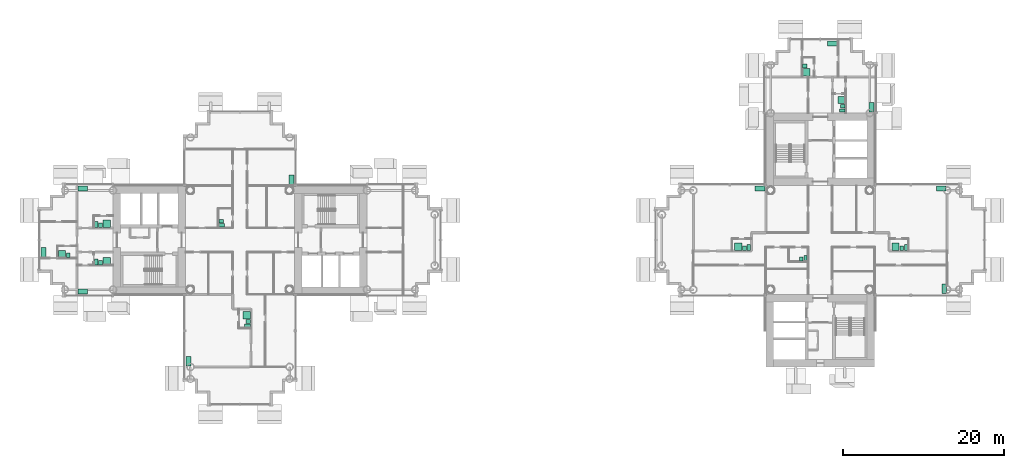
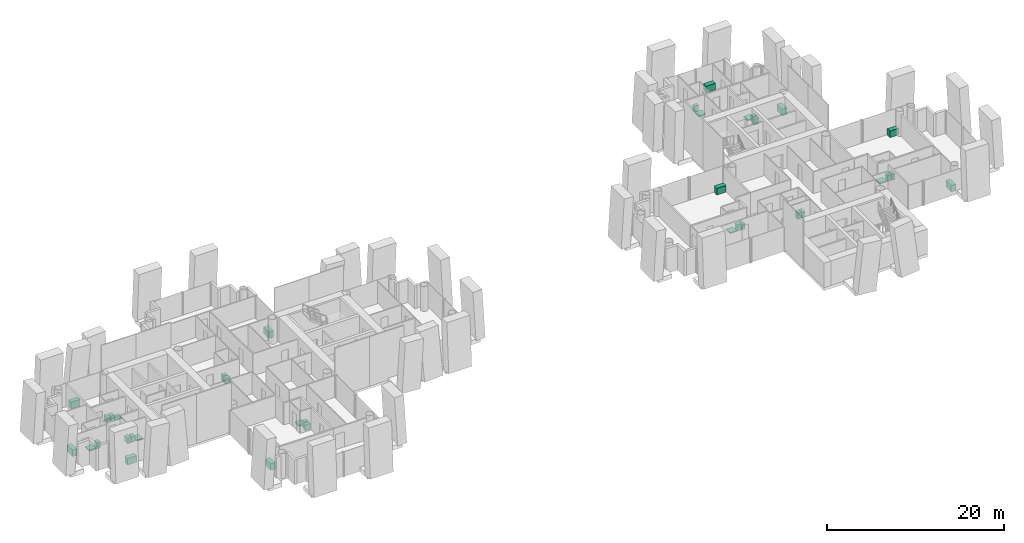
# One storey, part 21 of 21: 36 sanitary terminals.
"""IFC4 building model written with IfcOpenShell, lengths in metres."""

from ifc_helpers import new_model, si_unit, direction, frame, origin, origin_2d, place, context, subcontext, project, spatial, rectangle, extrude, material, type_object, element, save


model = new_model("IFC4")

# Units and contexts
model_context = context("Model", 3, precision=1e-05, world=origin(), true_north=direction((0.0, 1.0)))
body_context = subcontext(model_context, "Body", "Model", "MODEL_VIEW")
ifc_project = project(units=[si_unit("LENGTHUNIT", "METRE"), si_unit("AREAUNIT", "SQUARE_METRE"), si_unit("VOLUMEUNIT", "CUBIC_METRE"), si_unit("PLANEANGLEUNIT", "RADIAN"), si_unit("MASSUNIT", "GRAM", prefix="KILO")], contexts=[model_context])

# Site, building, storey
site_placement = place(None, origin())
site = spatial("IfcSite", under=ifc_project, at=site_placement, CompositionType="ELEMENT")
building_placement = place(site_placement, origin())
building = spatial("IfcBuilding", under=site, at=building_placement, Name="Ipe Terrace Towers", CompositionType="ELEMENT")
storey_placement = place(building_placement, frame((0.0, 0.0, 80.0)))
storey = spatial("IfcBuildingStorey", under=building, at=storey_placement, Name="L21", CompositionType="ELEMENT", Elevation=80.0)

# Sanitary terminals
ifc_material_1 = material(Name="Stainless sink unit", Category="metal")
sanitary_terminal_type_1 = type_object("IfcSanitaryTerminalType", Name="Kitchen sink unit", PredefinedType="SINK", material=ifc_material_1)
for number, where, z_axis, x_axis, name in (
    (1, (-29.6201171875, 7.469970703125, 0.0), (0.0, 0.0, 1.0), (0.0, -1.0, 0.0), "Kitchen sink unit"),
    (2, (-42.3798828125, -15.030029296875, 0.0), (0.0, 0.0, 1.0), (0.0, 1.0, 0.0), "Kitchen sink unit"),
    (3, (-55.530029296875, -6.3798828125, 0.0), (0.0, 0.0, 1.0), (-1.0, 0.0, 0.0), "Kitchen sink unit"),
    (4, (-55.530029296875, 6.3798828125, 0.0), (0.0, 0.0, 1.0), (1.0, 0.0, 0.0), "Kitchen sink unit"),
    (5, (-60.3798828125, -1.530029296875, 0.0), (0.0, 0.0, 1.0), (0.0, 1.0, 0.0), "Kitchen sink unit"),
    (6, (28.530029296875, 6.3798828125, 0.0), (0.0, 0.0, 1.0), (1.0, 0.0, 0.0), "Kitchen sink unit"),
    (7, (51.030029296875, 6.3798828125, 0.0), (0.0, 0.0, 1.0), (1.0, 0.0, 0.0), "Kitchen sink unit"),
    (8, (51.3798828125, -6.030029296875, 0.0), (0.0, 0.0, 1.0), (0.0, -1.0, 0.0), "Kitchen sink unit"),
    (9, (42.3798828125, 16.469970703125, 0.0), (0.0, 0.0, 1.0), (0.0, -1.0, 0.0), "Kitchen sink unit"),
    (10, (37.530029296875, 24.3798828125, 0.0), (0.0, 0.0, 1.0), (1.0, 0.0, 0.0), "Kitchen sink unit"),
):
    element("IfcSanitaryTerminal", number, at=place(storey_placement, frame(where, z_axis=z_axis, x_axis=x_axis)), inside=storey, type_object=sanitary_terminal_type_1, Name=name, PredefinedType="SINK", context=body_context, shape_type="SweptSolid", body=[
        extrude(rectangle(XDim=1.199951171875, YDim=0.60009765625, at=origin_2d()), origin(), (0.0, 0.0, 1.0), 0.89990234375),
    ])
ifc_material_2 = material(Name="Acrylic", Category="plastic")
sanitary_terminal_type_2 = type_object("IfcSanitaryTerminalType", Name="Shower tray", PredefinedType="SHOWER", material=ifc_material_2)
for number, where, z_axis, x_axis, name in (
    (11, (-35.169921875, -9.330078125, 0.0), (0.0, 0.0, 1.0), (-1.0, 0.0, 0.0), "Shower tray"),
    (12, (-52.530029296875, -2.6298828125, 0.0), (0.0, 0.0, 1.0), (0.0, 1.0, 0.0), "Shower tray"),
    (13, (-52.530029296875, 2.02001953125, 0.0), (0.0, 0.0, 1.0), (0.0, 1.0, 0.0), "Shower tray"),
    (14, (-58.080078125, -1.72998046875, 0.0), (0.0, 0.0, 1.0), (0.0, 1.0, 0.0), "Shower tray"),
    (15, (25.830078125, -0.830078125, 0.0), (0.0, 0.0, 1.0), (0.0, 1.0, 0.0), "Shower tray"),
    (16, (45.330078125, -0.830078125, 0.0), (0.0, 0.0, 1.0), (0.0, 1.0, 0.0), "Shower tray"),
    (17, (38.6298828125, 17.3701171875, 0.0), (0.0, 0.0, 1.0), (-1.0, 0.0, 0.0), "Shower tray"),
    (18, (34.27001953125, 20.820068359375, 0.0), (0.0, 0.0, 1.0), (1.0, 0.0, 0.0), "Shower tray"),
):
    element("IfcSanitaryTerminal", number, at=place(storey_placement, frame(where, z_axis=z_axis, x_axis=x_axis)), inside=storey, type_object=sanitary_terminal_type_2, Name=name, PredefinedType="SHOWER", context=body_context, shape_type="SweptSolid", body=[
        extrude(rectangle(XDim=0.89990234375, YDim=0.89990234375, at=origin_2d()), origin(), (0.0, 0.0, 1.0), 0.14990234375),
    ])
ifc_material_3 = material(Name="Vitreous china", Category="ceramic")
sanitary_terminal_type_3 = type_object("IfcSanitaryTerminalType", Name="Wash basin", PredefinedType="WASHHANDBASIN", material=ifc_material_3)
for number, where, z_axis, x_axis, name in (
    (19, (-38.35498046875, 2.344970703125, 0.0), (0.0, 0.0, 1.0), (1.0, 0.0, 0.0), "Wash basin"),
    (20, (-34.9951171875, -10.10498046875, 0.0), (0.0, 0.0, 1.0), (-1.0, 0.0, 0.0), "Wash basin"),
    (21, (-53.304931640625, -2.804931640625, 0.0), (0.0, 0.0, 1.0), (0.0, 1.0, 0.0), "Wash basin"),
    (22, (-53.304931640625, 1.844970703125, 0.0), (0.0, 0.0, 1.0), (0.0, 1.0, 0.0), "Wash basin"),
    (23, (-57.304931640625, -1.905029296875, 0.0), (0.0, 0.0, 1.0), (0.0, 1.0, 0.0), "Wash basin"),
    (24, (33.655029296875, -2.35498046875, 0.0), (0.0, 0.0, 1.0), (0.0, 1.0, 0.0), "Wash basin"),
    (25, (26.60498046875, -1.0048828125, 0.0), (0.0, 0.0, 1.0), (0.0, 1.0, 0.0), "Wash basin"),
    (26, (46.10498046875, -1.0048828125, 0.0), (0.0, 0.0, 1.0), (0.0, 1.0, 0.0), "Wash basin"),
    (27, (38.804931640625, 16.594970703125, 0.0), (0.0, 0.0, 1.0), (-1.0, 0.0, 0.0), "Wash basin"),
    (28, (34.094970703125, 21.594970703125, 0.0), (0.0, 0.0, 1.0), (1.0, 0.0, 0.0), "Wash basin"),
):
    element("IfcSanitaryTerminal", number, at=place(storey_placement, frame(where, z_axis=z_axis, x_axis=x_axis)), inside=storey, type_object=sanitary_terminal_type_3, Name=name, PredefinedType="WASHHANDBASIN", context=body_context, shape_type="SweptSolid", body=[
        extrude(rectangle(XDim=0.550048828125, YDim=0.449951171875, at=origin_2d()), origin(), (0.0, 0.0, 1.0), 0.85009765625),
    ])
ifc_material_4 = material(Name="Vitreous china", Category="ceramic")
sanitary_terminal_type_4 = type_object("IfcSanitaryTerminalType", Name="Water closet", PredefinedType="TOILETPAN", material=ifc_material_4)
for number, where, z_axis, x_axis, name in (
    (29, (-38.280029296875, 1.820068359375, 0.0), (0.0, 0.0, 1.0), (1.0, 0.0, 0.0), "Water closet"),
    (30, (-35.070068359375, -10.6298828125, 0.0), (0.0, 0.0, 1.0), (-1.0, 0.0, 0.0), "Water closet"),
    (31, (-53.830078125, -2.72998046875, 0.0), (0.0, 0.0, 1.0), (0.0, 1.0, 0.0), "Water closet"),
    (32, (-53.830078125, 1.919921875, 0.0), (0.0, 0.0, 1.0), (0.0, 1.0, 0.0), "Water closet"),
    (33, (34.179931640625, -2.280029296875, 0.0), (0.0, 0.0, 1.0), (0.0, 1.0, 0.0), "Water closet"),
    (34, (27.1298828125, -0.929931640625, 0.0), (0.0, 0.0, 1.0), (0.0, 1.0, 0.0), "Water closet"),
    (35, (46.6298828125, -0.929931640625, 0.0), (0.0, 0.0, 1.0), (0.0, 1.0, 0.0), "Water closet"),
    (36, (38.72998046875, 16.070068359375, 0.0), (0.0, 0.0, 1.0), (-1.0, 0.0, 0.0), "Water closet"),
):
    element("IfcSanitaryTerminal", number, at=place(storey_placement, frame(where, z_axis=z_axis, x_axis=x_axis)), inside=storey, type_object=sanitary_terminal_type_4, Name=name, PredefinedType="TOILETPAN", context=body_context, shape_type="SweptSolid", body=[
        extrude(rectangle(XDim=0.699951171875, YDim=0.39990234375, at=origin_2d()), origin(), (0.0, 0.0, 1.0), 0.780029296875),
    ])

save(model, "model.ifc")
